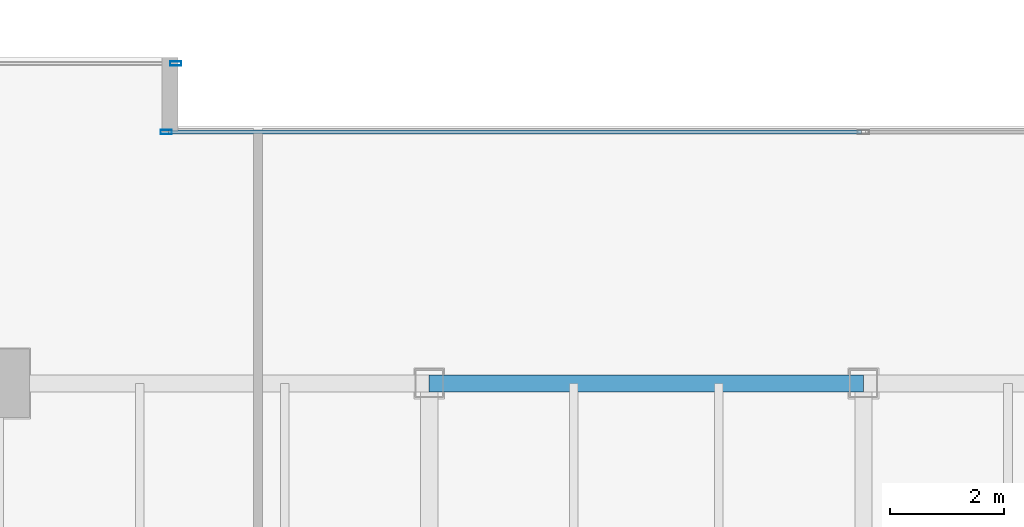
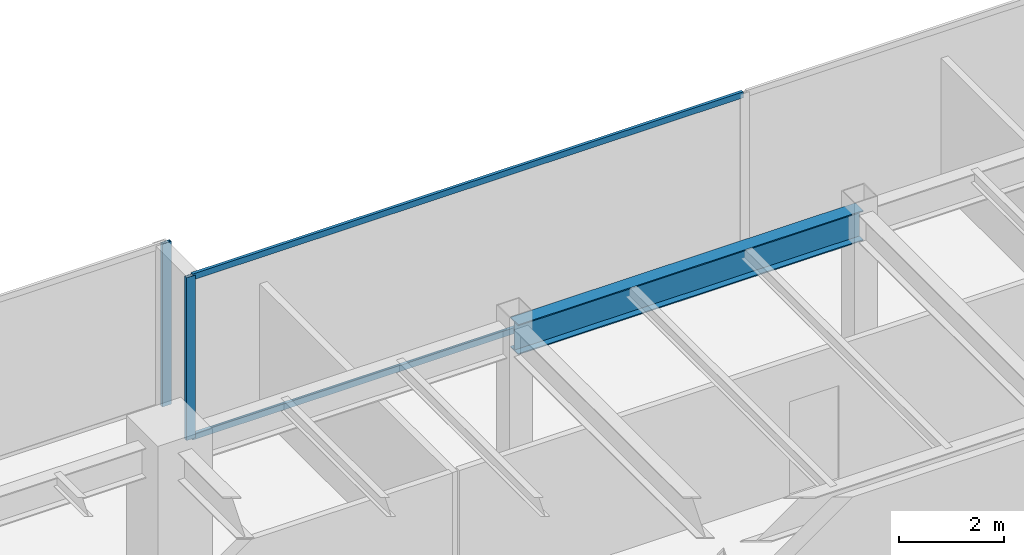
# One storey, part 16 of 34: 4 members, 1 beam, 2 elements without a shape of their own.
"""IFC4 building model written with IfcOpenShell, lengths in metres."""

from ifc_helpers import new_model, si_unit, direction, frame, origin, origin_2d, place, context, subcontext, project, spatial, hollow_rectangle, i_section, extrude, source, transform, mapped, material, layer, layer_set, material_profile, profile_set, type_object, type_shapes, element, aggregate, save


model = new_model("IFC4")

# Units and contexts
model_context = context("Model", 3, precision=1e-05, world=origin(), true_north=direction((0.0, 1.0)))
body_context = subcontext(model_context, "Body", "Model", "MODEL_VIEW")
ifc_project = project(units=[si_unit("LENGTHUNIT", "METRE"), si_unit("AREAUNIT", "SQUARE_METRE"), si_unit("VOLUMEUNIT", "CUBIC_METRE"), si_unit("PLANEANGLEUNIT", "RADIAN"), si_unit("MASSUNIT", "GRAM", prefix="KILO")], contexts=[model_context])

# Site, building, storey
site_placement = place(None, origin())
site = spatial("IfcSite", under=ifc_project, at=site_placement, CompositionType="ELEMENT")
building_placement = place(site_placement, origin())
building = spatial("IfcBuilding", under=site, at=building_placement, Name="Haelvirn Gate Laboratories", CompositionType="ELEMENT")
storey_placement = place(building_placement, frame((0.0, 0.0, 109.199951171875)))
storey = spatial("IfcBuildingStorey", under=building, at=storey_placement, Name="L26", CompositionType="ELEMENT", Elevation=109.199951171875)

# Beam
ifc_material_1 = material(Name="Steel SM355", Category="steel")
ifc_material_profile_1 = material_profile(ifc_material_1, i_section(OverallWidth=0.300048828125, OverallDepth=0.699951171875, WebThickness=0.012939453125, FlangeThickness=0.02392578125, at=origin_2d()), Name="H-700x300x13x24")
ifc_profile_set_1 = profile_set([ifc_material_profile_1], Name="Steel SM355")
beam_type = type_object("IfcBeamType", Name="BM-G-700", PredefinedType="BEAM", material=ifc_profile_set_1)
shared_shape_1 = source(origin(), body_context, "Body", "SweptSolid", [
    extrude(i_section(OverallWidth=0.300048828125, OverallDepth=0.699951171875, WebThickness=0.012939453125, FlangeThickness=0.02392578125, at=origin_2d()), origin(), (0.0, 0.0, 1.0), 7.599853515625),
])
type_shapes(beam_type, [shared_shape_1])
beam_placement = place(storey_placement, frame((29.800048828125, 41.60009765625, 3.43994140625), z_axis=(1.0, 0.0, 0.0), x_axis=(0.0, 1.0, 0.0)))
element("IfcBeam", 1, at=beam_placement, inside=storey, type_object=beam_type, Name="L26 Primary Girder Y41.6 (29.8-37.4)", PredefinedType="BEAM", context=body_context, shape_type="MappedRepresentation", body=[
    mapped(shared_shape_1, transform((0.0, 0.0, 0.0), scale=1.0)),
])

# Curtain wall, members
ifc_material_2 = material(Name="Anodised bronze unitised aluminium & triple low-E glass", Category="aluminium")
ifc_layer = layer(ifc_material_2, 0.179931640625, Name="CW-SYS-3")
ifc_layer_set = layer_set([ifc_layer], Name="Anodised bronze unitised aluminium & triple low-E glass")
curtain_wall_type = type_object("IfcCurtainWallType", Name="CW-SYS-3", PredefinedType="NOTDEFINED", material=ifc_layer_set)
curtain_wall_1_placement = place(storey_placement, origin())
curtain_wall_1 = element("IfcCurtainWall", 2, at=curtain_wall_1_placement, inside=storey, type_object=curtain_wall_type, Name="L26 Unitised Curtain Wall CW-L26-P0-E12-1", PredefinedType="NOTDEFINED")
ifc_material_3 = material(Name="Extruded aluminium 6063-T6 (anodised bronze)", Category="aluminium")
ifc_material_profile_2 = material_profile(ifc_material_3, hollow_rectangle(XDim=0.06494140625, YDim=0.139892578125, WallThickness=0.00390625, at=origin_2d()), Name="CWT-140x65x4")
ifc_profile_set_2 = profile_set([ifc_material_profile_2], Name="Extruded aluminium 6063-T6 (anodised bronze)")
member_type_1 = type_object("IfcMemberType", Name="CWT-T140", PredefinedType="USERDEFINED", material=ifc_profile_set_2)
shared_shape_2 = source(origin(), body_context, "Body", "SweptSolid", [
    extrude(hollow_rectangle(XDim=0.06494140625, YDim=0.139892578125, WallThickness=0.00390625, at=origin_2d()), origin(), (0.0, 0.0, 1.0), 12.12744140625),
])
type_shapes(member_type_1, [shared_shape_2])
member_1_placement = place(storey_placement, frame((25.235107421875, 46.0, 0.032470703125), z_axis=(1.0, 0.0, 0.0), x_axis=(0.0, 1.0, 0.0)))
member_1 = element("IfcMember", 3, at=member_1_placement, type_object=member_type_1, Name="CW3 transom 1.1", ObjectType="TRANSOM", PredefinedType="USERDEFINED", context=body_context, shape_type="MappedRepresentation", body=[
    mapped(shared_shape_2, transform((0.0, 0.0, 0.0), scale=1.0)),
])
member_2_placement = place(storey_placement, frame((25.235107421875, 46.0, 3.757568359375), z_axis=(1.0, 0.0, 0.0), x_axis=(0.0, 1.0, 0.0)))
member_2 = element("IfcMember", 4, at=member_2_placement, type_object=member_type_1, Name="CW3 transom 1.2", ObjectType="TRANSOM", PredefinedType="USERDEFINED", context=body_context, shape_type="MappedRepresentation", body=[
    mapped(shared_shape_2, transform((0.0, 0.0, 0.0), scale=1.0)),
])
ifc_material_profile_3 = material_profile(ifc_material_3, hollow_rectangle(XDim=0.074951171875, YDim=0.199951171875, WallThickness=0.0048828125, at=origin_2d()), Name="CWM-200x75x5")
ifc_profile_set_3 = profile_set([ifc_material_profile_3], Name="Extruded aluminium 6063-T6 (anodised bronze)")
member_type_2 = type_object("IfcMemberType", Name="CWM-T200", PredefinedType="MULLION", material=ifc_profile_set_3)
shared_shape_3 = source(origin(), body_context, "Body", "SweptSolid", [
    extrude(hollow_rectangle(XDim=0.074951171875, YDim=0.199951171875, WallThickness=0.0048828125, at=origin_2d()), origin(), (0.0, 0.0, 1.0), 3.7900390625),
])
type_shapes(member_type_2, [shared_shape_3])
member_3_placement = place(storey_placement, frame((25.197509765625, 46.0, 0.0), z_axis=(0.0, 0.0, 1.0), x_axis=(0.0, 1.0, 0.0)))
member_3 = element("IfcMember", 5, at=member_3_placement, type_object=member_type_2, Name="CW3 mullion 1", PredefinedType="MULLION", context=body_context, shape_type="MappedRepresentation", body=[
    mapped(shared_shape_3, transform((0.0, 0.0, 0.0), scale=1.0)),
])
aggregate(curtain_wall_1, [member_3, member_1, member_2])

# Curtain wall, member
curtain_wall_2_placement = place(storey_placement, origin())
curtain_wall_2 = element("IfcCurtainWall", 6, at=curtain_wall_2_placement, inside=storey, type_object=curtain_wall_type, Name="L26 Unitised Curtain Wall CW-L26-P0-E14-1", PredefinedType="NOTDEFINED")
member_4_placement = place(storey_placement, frame((25.362548828125, 47.199951171875, 0.0), z_axis=(0.0, 0.0, 1.0), x_axis=(0.0, 1.0, 0.0)))
member_4 = element("IfcMember", 7, at=member_4_placement, type_object=member_type_2, Name="CW3 mullion 3", PredefinedType="MULLION", context=body_context, shape_type="MappedRepresentation", body=[
    mapped(shared_shape_3, transform((0.0, 0.0, 0.0), scale=1.0)),
])
aggregate(curtain_wall_2, [member_4])

save(model, "model.ifc")
